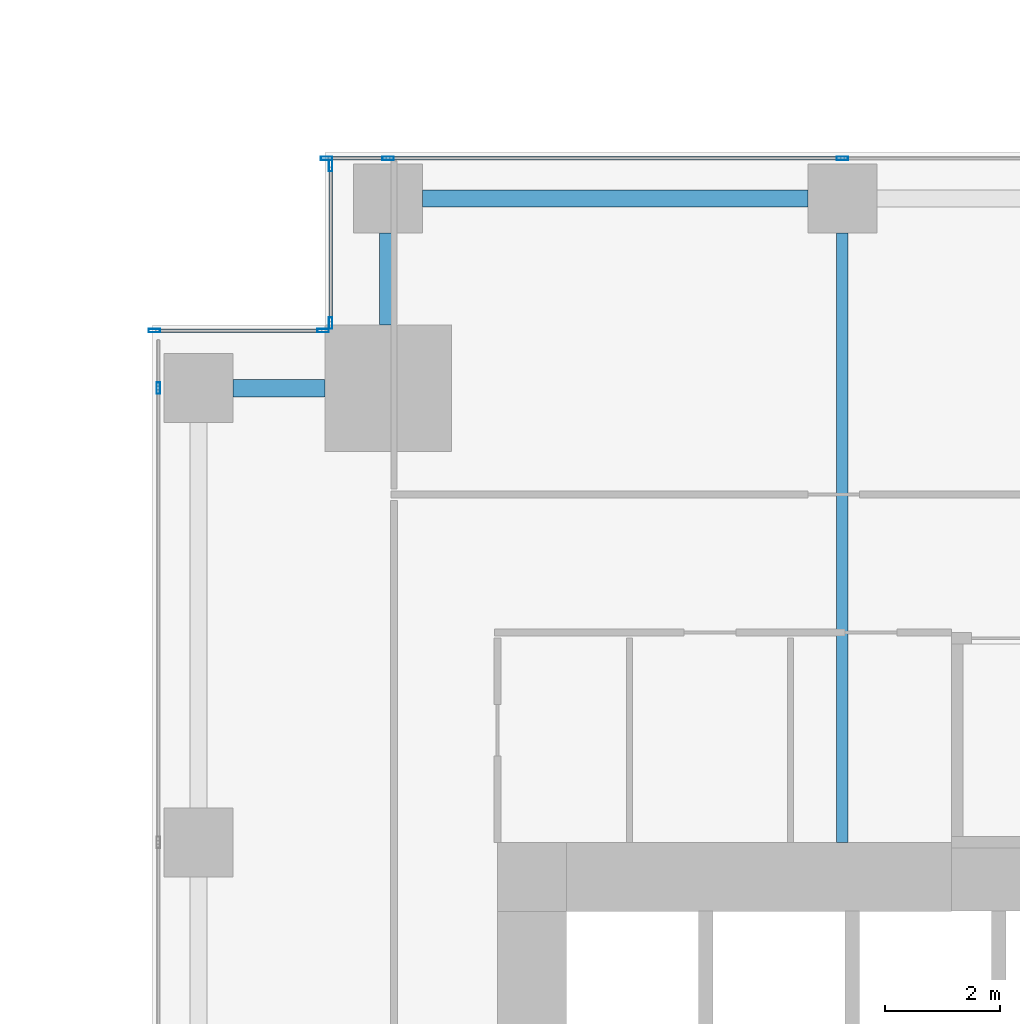
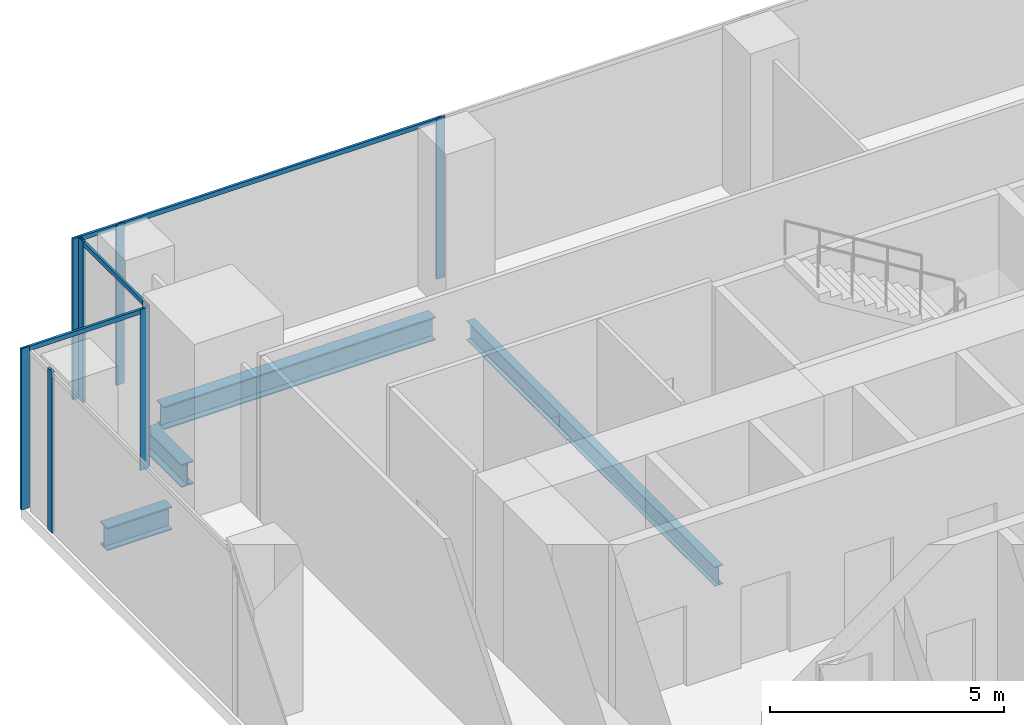
# One storey, part 14 of 32: 12 members, 4 beams, 4 elements without a shape of their own.
"""IFC4 building model written with IfcOpenShell, lengths in metres."""

from ifc_helpers import new_model, si_unit, direction, frame, origin, origin_2d, place, context, subcontext, project, spatial, hollow_rectangle, i_section, extrude, source, transform, mapped, material, material_profile, profile_set, type_object, element, aggregate, save


model = new_model("IFC4")

# Units and contexts
model_context = context("Model", 3, precision=1e-05, world=origin(), true_north=direction((0.0, 1.0)))
body_context = subcontext(model_context, "Body", "Model", "MODEL_VIEW")
ifc_project = project(units=[si_unit("LENGTHUNIT", "METRE"), si_unit("AREAUNIT", "SQUARE_METRE"), si_unit("VOLUMEUNIT", "CUBIC_METRE"), si_unit("PLANEANGLEUNIT", "RADIAN"), si_unit("MASSUNIT", "GRAM", prefix="KILO")], contexts=[model_context])

# Site, building, storey
site_placement = place(None, origin())
site = spatial("IfcSite", under=ifc_project, at=site_placement, CompositionType="ELEMENT")
building_placement = place(site_placement, origin())
building = spatial("IfcBuilding", under=site, at=building_placement, Name="Khomas Fold Tower", CompositionType="ELEMENT")
storey_placement = place(building_placement, frame((0.0, 0.0, 64.5)))
storey = spatial("IfcBuildingStorey", under=building, at=storey_placement, Name="L13", CompositionType="ELEMENT", Elevation=64.5)

# Beams
ifc_material_1 = material(Name="Steel S355", Category="steel")
ifc_material_profile_1 = material_profile(ifc_material_1, i_section(OverallWidth=0.199951171875, OverallDepth=0.5, WebThickness=0.01025390625, FlangeThickness=0.01611328125, at=origin_2d()), Name="IPE 500")
ifc_profile_set_1 = profile_set([ifc_material_profile_1], Name="Steel S355")
beam_type_1 = type_object("IfcBeamType", Name="IPE 500 beam JB5", PredefinedType="BEAM", material=ifc_profile_set_1)
shared_shape_1 = source(origin(), body_context, "Body", "SweptSolid", [
    extrude(i_section(OverallWidth=0.199951171875, OverallDepth=0.5, WebThickness=0.01025390625, FlangeThickness=0.01611328125, at=origin_2d()), origin(), (0.0, 0.0, 1.0), 10.60009765625),
])
beam_1_placement = place(storey_placement, frame((12.0, 42.0, -0.550048828125), z_axis=(0.0, 1.0, 0.0), x_axis=(-1.0, 0.0, 0.0)))
element("IfcBeam", 1, at=beam_1_placement, inside=storey, type_object=beam_type_1, Name="JB5", PredefinedType="BEAM", context=body_context, shape_type="MappedRepresentation", body=[
    mapped(shared_shape_1, transform((0.0, 0.0, 0.0))),
])
ifc_material_2 = material(Name="Steel S355", Category="steel")
ifc_material_profile_2 = material_profile(ifc_material_2, i_section(OverallWidth=0.300048828125, OverallDepth=0.60009765625, WebThickness=0.015380859375, FlangeThickness=0.030029296875, at=origin_2d()), Name="HE 600 B")
ifc_profile_set_2 = profile_set([ifc_material_profile_2], Name="Steel S355")
beam_type_2 = type_object("IfcBeamType", Name="HE 600 B spandrel SB1", PredefinedType="SPANDREL", material=ifc_profile_set_2)
shared_shape_2 = source(origin(), body_context, "Body", "SweptSolid", [
    extrude(i_section(OverallWidth=0.300048828125, OverallDepth=0.60009765625, WebThickness=0.015380859375, FlangeThickness=0.030029296875, at=origin_2d()), origin(), (0.0, 0.0, 1.0), 6.699951171875),
])
beam_2_placement = place(storey_placement, frame((4.699951171875, 53.199951171875, -0.60009765625), z_axis=(1.0, 0.0, 0.0), x_axis=(0.0, 1.0, 0.0)))
element("IfcBeam", 2, at=beam_2_placement, inside=storey, type_object=beam_type_2, Name="SB1", PredefinedType="SPANDREL", context=body_context, shape_type="MappedRepresentation", body=[
    mapped(shared_shape_2, transform((0.0, 0.0, 0.0))),
])
shared_shape_3 = source(origin(), body_context, "Body", "SweptSolid", [
    extrude(i_section(OverallWidth=0.300048828125, OverallDepth=0.60009765625, WebThickness=0.015380859375, FlangeThickness=0.030029296875, at=origin_2d()), origin(), (0.0, 0.0, 1.0), 1.60009765625),
])
for number, where, z_axis, x_axis, name in (
    (3, (4.10009765625, 51.0, -0.60009765625), (0.0, 1.0, 0.0), (-1.0, 0.0, 0.0), "SB1"),
    (4, (1.39990234375, 49.89990234375, -0.60009765625), (1.0, 0.0, 0.0), (0.0, 1.0, 0.0), "SB1"),
):
    element("IfcBeam", number, at=place(storey_placement, frame(where, z_axis=z_axis, x_axis=x_axis)), inside=storey, type_object=beam_type_2, Name=name, PredefinedType="SPANDREL", context=body_context, shape_type="MappedRepresentation", body=[
        mapped(shared_shape_3, transform((0.0, 0.0, 0.0))),
    ])

# Curtain wall, members
ifc_material_3 = material(Name="Aluminium framed double glazing", Category="aluminium")
curtain_wall_type = type_object("IfcCurtainWallType", Name="SK-Unitised clear-glass wall, growing floors CW1", PredefinedType="NOTDEFINED", material=ifc_material_3)
curtain_wall_1_placement = place(storey_placement, origin())
curtain_wall_1 = element("IfcCurtainWall", 5, at=curtain_wall_1_placement, inside=storey, type_object=curtain_wall_type, Name="CW1 run L13 06-0", PredefinedType="NOTDEFINED")
ifc_material_4 = material(Name="Aluminium", Category="aluminium")
ifc_material_profile_3 = material_profile(ifc_material_4, hollow_rectangle(XDim=0.06005859375, YDim=0.1201171875, WallThickness=0.00390625, at=origin_2d()), Name="SK-Unitised clear-glass wall, growing floors transom CW1-T")
ifc_profile_set_3 = profile_set([ifc_material_profile_3], Name="Aluminium")
member_type_1 = type_object("IfcMemberType", Name="SK-Unitised clear-glass wall, growing floors transom CW1-T", PredefinedType="USERDEFINED", material=ifc_profile_set_3)
shared_shape_4 = source(origin(), body_context, "Body", "SweptSolid", [
    extrude(hollow_rectangle(XDim=0.06005859375, YDim=0.1201171875, WallThickness=0.00390625, at=origin_2d()), origin(), (0.0, 0.0, 1.0), 7.840087890625),
])
member_1_placement = place(storey_placement, frame((11.969970703125, 53.89990234375, 4.139892578125), z_axis=(-1.0, 0.0, 0.0), x_axis=(0.0, -1.0, 0.0)))
member_1 = element("IfcMember", 6, at=member_1_placement, type_object=member_type_1, Name="CW1 transom 7", ObjectType="TRANSOM", PredefinedType="USERDEFINED", context=body_context, shape_type="MappedRepresentation", body=[
    mapped(shared_shape_4, transform((0.0, 0.0, 0.0))),
])
shared_shape_5 = source(origin(), body_context, "Body", "SweptSolid", [
    extrude(hollow_rectangle(XDim=0.06005859375, YDim=0.1201171875, WallThickness=0.00390625, at=origin_2d()), origin(), (0.0, 0.0, 1.0), 1.010009765625),
])
member_2_placement = place(storey_placement, frame((4.070068359375, 53.89990234375, 4.139892578125), z_axis=(-1.0, 0.0, 0.0), x_axis=(0.0, -1.0, 0.0)))
member_2 = element("IfcMember", 7, at=member_2_placement, type_object=member_type_1, Name="CW1 transom 8", ObjectType="TRANSOM", PredefinedType="USERDEFINED", context=body_context, shape_type="MappedRepresentation", body=[
    mapped(shared_shape_5, transform((0.0, 0.0, 0.0))),
])

# Curtain wall, member
curtain_wall_2_placement = place(storey_placement, origin())
curtain_wall_2 = element("IfcCurtainWall", 8, at=curtain_wall_2_placement, inside=storey, type_object=curtain_wall_type, Name="CW1 corner return L13 07", PredefinedType="NOTDEFINED")
shared_shape_6 = source(origin(), body_context, "Body", "SweptSolid", [
    extrude(hollow_rectangle(XDim=0.06005859375, YDim=0.1201171875, WallThickness=0.00390625, at=origin_2d()), origin(), (0.0, 0.0, 1.0), 2.679931640625),
])
member_3_placement = place(storey_placement, frame((3.10009765625, 53.739990234375, 4.139892578125), z_axis=(0.0, -1.0, 0.0), x_axis=(1.0, 0.0, 0.0)))
member_3 = element("IfcMember", 9, at=member_3_placement, type_object=member_type_1, Name="CW1 transom 1", ObjectType="TRANSOM", PredefinedType="USERDEFINED", context=body_context, shape_type="MappedRepresentation", body=[
    mapped(shared_shape_6, transform((0.0, 0.0, 0.0))),
])

curtain_wall_3_placement = place(storey_placement, origin())
curtain_wall_3 = element("IfcCurtainWall", 10, at=curtain_wall_3_placement, inside=storey, type_object=curtain_wall_type, Name="CW1 corner return L13 08", PredefinedType="NOTDEFINED")
shared_shape_7 = source(origin(), body_context, "Body", "SweptSolid", [
    extrude(hollow_rectangle(XDim=0.06005859375, YDim=0.1201171875, WallThickness=0.00390625, at=origin_2d()), origin(), (0.0, 0.0, 1.0), 2.8798828125),
])
member_4_placement = place(storey_placement, frame((2.93994140625, 50.89990234375, 4.139892578125), z_axis=(-1.0, 0.0, 0.0), x_axis=(0.0, -1.0, 0.0)))
member_4 = element("IfcMember", 11, at=member_4_placement, type_object=member_type_1, Name="CW1 transom 1", ObjectType="TRANSOM", PredefinedType="USERDEFINED", context=body_context, shape_type="MappedRepresentation", body=[
    mapped(shared_shape_7, transform((0.0, 0.0, 0.0))),
])

# Member
ifc_material_5 = material(Name="Aluminium", Category="aluminium")
ifc_material_profile_4 = material_profile(ifc_material_5, hollow_rectangle(XDim=0.06005859375, YDim=0.199951171875, WallThickness=0.00390625, at=origin_2d()), Name="SK-Unitised clear-glass wall, growing floors mullion CW1-M")
ifc_profile_set_4 = profile_set([ifc_material_profile_4], Name="Aluminium")
member_type_2 = type_object("IfcMemberType", Name="SK-Unitised clear-glass wall, growing floors mullion CW1-M", PredefinedType="MULLION", material=ifc_profile_set_4)
shared_shape_8 = source(origin(), body_context, "Body", "SweptSolid", [
    extrude(hollow_rectangle(XDim=0.06005859375, YDim=0.199951171875, WallThickness=0.00390625, at=origin_2d()), origin(), (0.0, 0.0, 1.0), 4.199951171875),
])
member_5_placement = place(storey_placement, frame((12.0, 53.89990234375, 0.0), z_axis=(0.0, 0.0, 1.0), x_axis=(0.0, -1.0, 0.0)))
member_5 = element("IfcMember", 12, at=member_5_placement, type_object=member_type_2, Name="CW1 mullion 7", PredefinedType="MULLION", context=body_context, shape_type="MappedRepresentation", body=[
    mapped(shared_shape_8, transform((0.0, 0.0, 0.0))),
])

member_6_placement = place(storey_placement, frame((4.10009765625, 53.89990234375, 0.0), z_axis=(0.0, 0.0, 1.0), x_axis=(0.0, -1.0, 0.0)))
member_6 = element("IfcMember", 13, at=member_6_placement, type_object=member_type_2, Name="CW1 mullion 8", PredefinedType="MULLION", context=body_context, shape_type="MappedRepresentation", body=[
    mapped(shared_shape_8, transform((0.0, 0.0, 0.0))),
])

member_7_placement = place(storey_placement, frame((3.030029296875, 53.89990234375, 0.0), z_axis=(0.0, 0.0, 1.0), x_axis=(0.0, -1.0, 0.0)))
member_7 = element("IfcMember", 14, at=member_7_placement, type_object=member_type_2, Name="CW1 mullion 9", PredefinedType="MULLION", context=body_context, shape_type="MappedRepresentation", body=[
    mapped(shared_shape_8, transform((0.0, 0.0, 0.0))),
])

aggregate(curtain_wall_1, [member_5, member_6, member_7, member_1, member_2])

member_8_placement = place(storey_placement, frame((3.10009765625, 53.77001953125, 0.0), z_axis=(0.0, 0.0, 1.0), x_axis=(1.0, 0.0, 0.0)))
member_8 = element("IfcMember", 15, at=member_8_placement, type_object=member_type_2, Name="CW1 mullion 1", PredefinedType="MULLION", context=body_context, shape_type="MappedRepresentation", body=[
    mapped(shared_shape_8, transform((0.0, 0.0, 0.0))),
])

member_9_placement = place(storey_placement, frame((3.10009765625, 51.030029296875, 0.0), z_axis=(0.0, 0.0, 1.0), x_axis=(1.0, 0.0, 0.0)))
member_9 = element("IfcMember", 16, at=member_9_placement, type_object=member_type_2, Name="CW1 mullion 2", PredefinedType="MULLION", context=body_context, shape_type="MappedRepresentation", body=[
    mapped(shared_shape_8, transform((0.0, 0.0, 0.0))),
])

aggregate(curtain_wall_2, [member_8, member_9, member_3])

member_10_placement = place(storey_placement, frame((2.969970703125, 50.89990234375, 0.0), z_axis=(0.0, 0.0, 1.0), x_axis=(0.0, -1.0, 0.0)))
member_10 = element("IfcMember", 17, at=member_10_placement, type_object=member_type_2, Name="CW1 mullion 1", PredefinedType="MULLION", context=body_context, shape_type="MappedRepresentation", body=[
    mapped(shared_shape_8, transform((0.0, 0.0, 0.0))),
])

member_11_placement = place(storey_placement, frame((0.030029296875, 50.89990234375, 0.0), z_axis=(0.0, 0.0, 1.0), x_axis=(0.0, -1.0, 0.0)))
member_11 = element("IfcMember", 18, at=member_11_placement, type_object=member_type_2, Name="CW1 mullion 2", PredefinedType="MULLION", context=body_context, shape_type="MappedRepresentation", body=[
    mapped(shared_shape_8, transform((0.0, 0.0, 0.0))),
])

aggregate(curtain_wall_3, [member_10, member_11, member_4])

# Curtain wall, member
curtain_wall_4_placement = place(storey_placement, origin())
curtain_wall_4 = element("IfcCurtainWall", 19, at=curtain_wall_4_placement, inside=storey, type_object=curtain_wall_type, Name="CW1 run L13 09-0", PredefinedType="NOTDEFINED")
member_12_placement = place(storey_placement, frame((0.10009765625, 49.89990234375, 0.0), z_axis=(0.0, 0.0, 1.0), x_axis=(1.0, 0.0, 0.0)))
member_12 = element("IfcMember", 20, at=member_12_placement, type_object=member_type_2, Name="CW1 mullion 2", PredefinedType="MULLION", context=body_context, shape_type="MappedRepresentation", body=[
    mapped(shared_shape_8, transform((0.0, 0.0, 0.0))),
])
aggregate(curtain_wall_4, [member_12])

save(model, "model.ifc")
